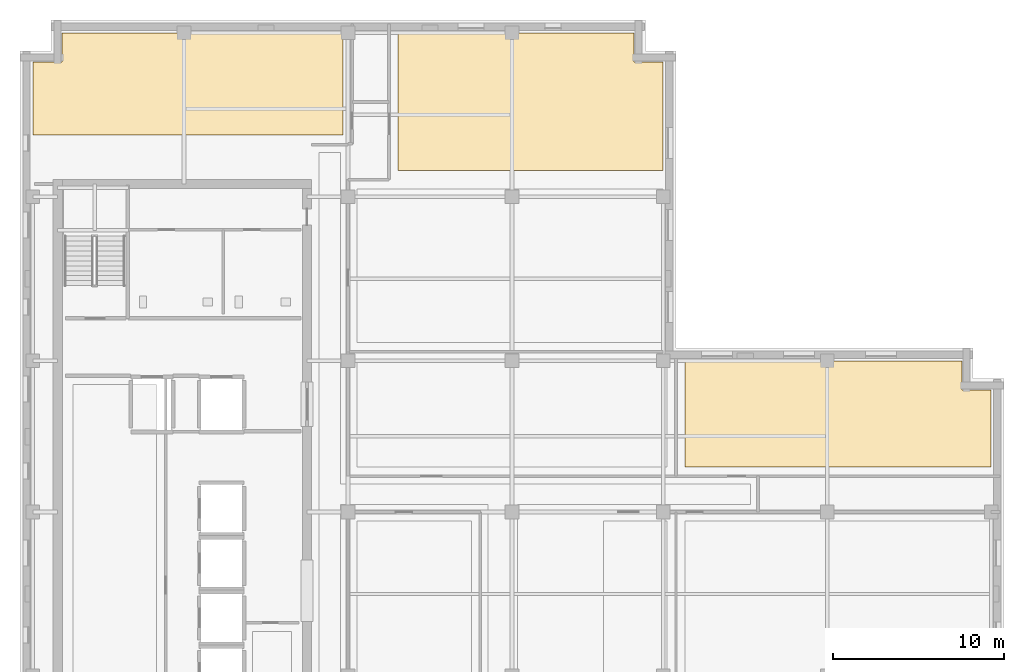
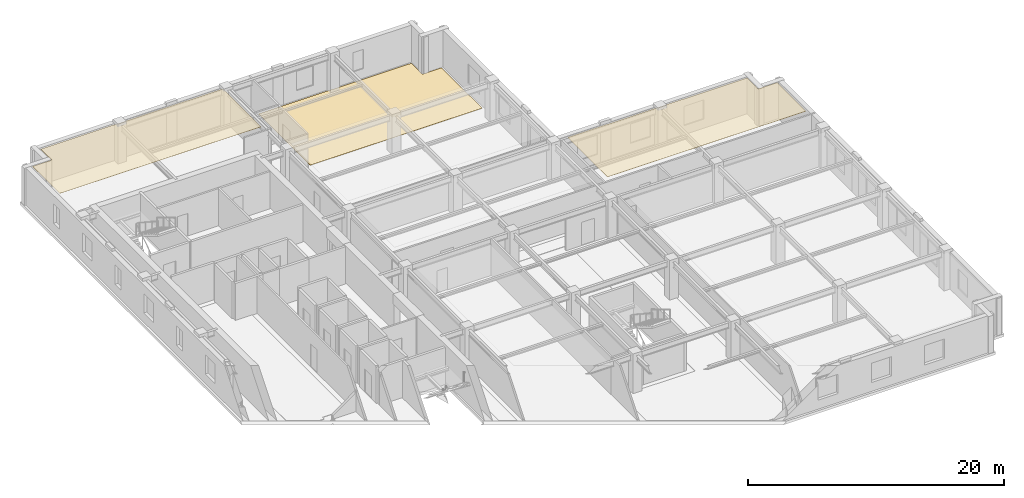
# One storey, part 11 of 12: 3 coverings.
"""IFC4 building model written with IfcOpenShell, lengths in metres."""

from ifc_helpers import new_model, si_unit, direction, frame, origin, place, context, subcontext, project, spatial, polyline, outline, extrude, material, layer, layer_set, type_object, element, save


model = new_model("IFC4")

# Units and contexts
model_context = context("Model", 3, precision=1e-05, world=origin(), true_north=direction((0.0, 1.0)))
body_context = subcontext(model_context, "Body", "Model", "MODEL_VIEW")
ifc_project = project(units=[si_unit("LENGTHUNIT", "METRE"), si_unit("AREAUNIT", "SQUARE_METRE"), si_unit("VOLUMEUNIT", "CUBIC_METRE"), si_unit("PLANEANGLEUNIT", "RADIAN"), si_unit("MASSUNIT", "GRAM", prefix="KILO")], contexts=[model_context])

# Site, building, storey
site_placement = place(None, origin())
site = spatial("IfcSite", under=ifc_project, at=site_placement, CompositionType="ELEMENT")
building_placement = place(site_placement, origin())
building = spatial("IfcBuilding", under=site, at=building_placement, Name="Norrvale University Quadrangle", CompositionType="ELEMENT")
storey_placement = place(building_placement, frame((0.0, 0.0, 244.60009765625)))
storey = spatial("IfcBuildingStorey", under=building, at=storey_placement, Name="L62", CompositionType="ELEMENT", Elevation=244.60009765625)

# Coverings
ifc_material_1 = material(Name="Perforated Acoustic Mineral Ceiling")
ifc_layer_1 = layer(ifc_material_1, 0.02490234375, Name="Perforated Acoustic Mineral Ceiling")
ifc_layer_set_1 = layer_set([ifc_layer_1], Name="Perforated Acoustic Mineral Ceiling")
covering_type_1 = type_object("IfcCoveringType", Name="Covering Acoustic Ceiling 25", PredefinedType="CEILING", material=ifc_layer_set_1)
covering_1_placement = place(storey_placement, frame((0.0, 0.0, 3.514892578125)))
element("IfcCovering", 1, at=covering_1_placement, inside=storey, type_object=covering_type_1, Name="Acoustic Ceiling RM-L62-ME02", PredefinedType="CEILING", context=body_context, shape_type="SweptSolid", body=[
    extrude(outline(polyline([(56.85009765625, 31.429931640625), (38.929931640625, 31.429931640625), (38.929931640625, 37.64990234375), (55.1298828125, 37.64990234375), (55.1298828125, 35.929931640625), (56.85009765625, 35.929931640625), (56.85009765625, 31.429931640625)])), origin(), (0.0, 0.0, 1.0), 0.02490234375),
])
covering_2_placement = place(storey_placement, frame((0.0, 0.0, 3.514892578125)))
element("IfcCovering", 2, at=covering_2_placement, inside=storey, type_object=covering_type_1, Name="Acoustic Ceiling RM-L62-NW01", PredefinedType="CEILING", context=body_context, shape_type="SweptSolid", body=[
    extrude(outline(polyline([(18.919921875, 56.85009765625), (18.919921875, 50.8798828125), (0.75, 50.8798828125), (0.75, 55.1298828125), (2.469970703125, 55.1298828125), (2.469970703125, 56.85009765625), (18.919921875, 56.85009765625)])), origin(), (0.0, 0.0, 1.0), 0.02490234375),
])
ifc_material_2 = material(Name="Polished Terrazzo Flooring")
ifc_layer_2 = layer(ifc_material_2, 0.02490234375, Name="Polished Terrazzo Flooring")
ifc_layer_set_2 = layer_set([ifc_layer_2], Name="Polished Terrazzo Flooring")
covering_type_2 = type_object("IfcCoveringType", Name="Covering Terrazzo Floor 30", PredefinedType="FLOORING", material=ifc_layer_set_2)
covering_3_placement = place(storey_placement, origin())
element("IfcCovering", 3, at=covering_3_placement, inside=storey, type_object=covering_type_2, Name="Terrazzo Flooring RM-L62-NE01", PredefinedType="FLOORING", context=body_context, shape_type="SweptSolid", body=[
    extrude(outline(polyline([(37.64990234375, 48.780029296875), (22.1298828125, 48.780029296875), (22.1298828125, 56.85009765625), (35.929931640625, 56.85009765625), (35.929931640625, 55.1298828125), (37.64990234375, 55.1298828125), (37.64990234375, 48.780029296875)])), origin(), (0.0, 0.0, 1.0), 0.02490234375),
])

save(model, "model.ifc")
